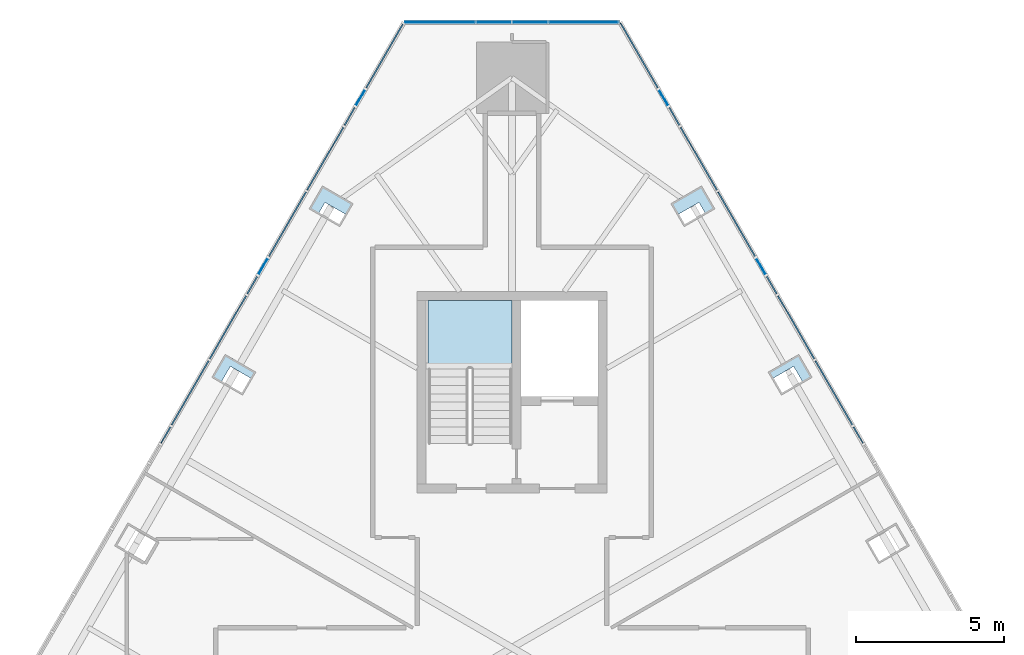
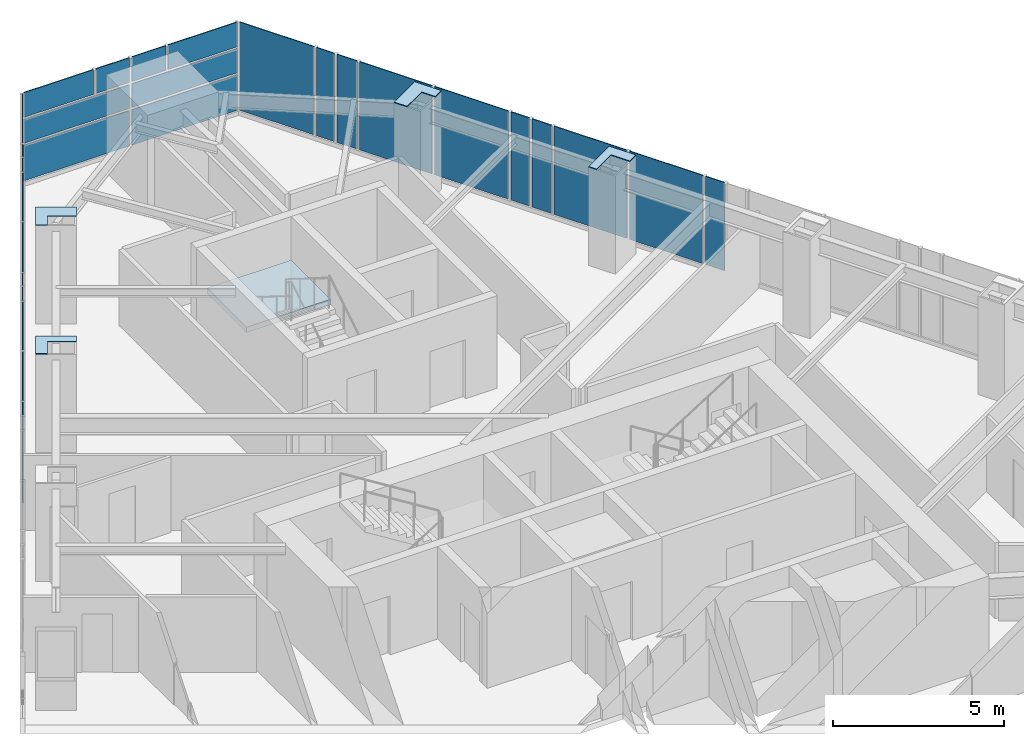
# One storey, part 14 of 20: 32 plates, 1 slab, 4 elements without a shape of their own.
"""IFC4 building model written with IfcOpenShell, lengths in metres."""

from ifc_helpers import new_model, si_unit, direction, frame, origin, place, context, subcontext, project, spatial, polyline, outline, extrude, material, layer, layer_set, type_object, element, aggregate, save


model = new_model("IFC4")

# Units and contexts
model_context = context("Model", 3, precision=1e-05, world=origin(), true_north=direction((0.0, 1.0)))
body_context = subcontext(model_context, "Body", "Model", "MODEL_VIEW")
ifc_project = project(units=[si_unit("LENGTHUNIT", "METRE"), si_unit("AREAUNIT", "SQUARE_METRE"), si_unit("VOLUMEUNIT", "CUBIC_METRE"), si_unit("PLANEANGLEUNIT", "RADIAN"), si_unit("MASSUNIT", "GRAM", prefix="KILO")], contexts=[model_context])

# Site, building, storey
site_placement = place(None, origin())
site = spatial("IfcSite", under=ifc_project, at=site_placement, CompositionType="ELEMENT")
building_placement = place(site_placement, origin())
building = spatial("IfcBuilding", under=site, at=building_placement, Name="Firuza Gate Tower and Library", CompositionType="ELEMENT")
storey_placement = place(building_placement, frame((0.0, 0.0, 277.60009765625)))
storey = spatial("IfcBuildingStorey", under=building, at=storey_placement, Name="L66", CompositionType="ELEMENT", Elevation=277.60009765625)

# Plates
ifc_material_1 = material(Name="Steel S355", Category="steel")
ifc_layer_1 = layer(ifc_material_1, 0.030029296875)
ifc_layer_set_1 = layer_set([ifc_layer_1], Name="Column infill plate 30 Steel S355")
plate_type_1 = type_object("IfcPlateType", Name="Column infill plate 30 Steel S355", PredefinedType="SHEET", material=ifc_layer_set_1)
placement_1 = place(storey_placement, frame((0.0, 0.0, 3.5)))
element("IfcPlate", 1, at=placement_1, inside=storey, type_object=plate_type_1, Name="Infill plate L66:E5", PredefinedType="SHEET", context=body_context, shape_type="SweptSolid", body=[
    extrude(outline(polyline([(83.641357421875, 91.880126953125), (83.773193359375, 91.651611328125), (84.504638671875, 92.07373046875), (84.822509765625, 91.52294921875), (85.130615234375, 91.70068359375), (84.680419921875, 92.480224609375), (83.641357421875, 91.880126953125)])), origin(), (0.0, 0.0, 1.0), 0.02978515625),
])
element("IfcPlate", 2, at=placement_1, inside=storey, type_object=plate_type_1, Name="Infill plate L66:E6", PredefinedType="SHEET", context=body_context, shape_type="SweptSolid", body=[
    extrude(outline(polyline([(80.358642578125, 97.56591796875), (80.57861328125, 97.184814453125), (81.309814453125, 97.60693359375), (81.539794921875, 97.208740234375), (81.847900390625, 97.386474609375), (81.39794921875, 98.166015625), (80.358642578125, 97.56591796875)])), origin(), (0.0, 0.0, 1.0), 0.02978515625),
])
element("IfcPlate", 3, at=placement_1, inside=storey, type_object=plate_type_1, Name="Infill plate L66:W1", PredefinedType="SHEET", context=body_context, shape_type="SweptSolid", body=[
    extrude(outline(polyline([(68.152099609375, 97.386474609375), (68.460205078125, 97.208740234375), (68.690185546875, 97.60693359375), (69.42138671875, 97.184814453125), (69.641357421875, 97.56591796875), (68.60205078125, 98.166015625), (68.152099609375, 97.386474609375)])), origin(), (0.0, 0.0, 1.0), 0.02978515625),
])
element("IfcPlate", 4, at=placement_1, inside=storey, type_object=plate_type_1, Name="Infill plate L66:W2", PredefinedType="SHEET", context=body_context, shape_type="SweptSolid", body=[
    extrude(outline(polyline([(64.869384765625, 91.70068359375), (65.177490234375, 91.52294921875), (65.495361328125, 92.07373046875), (66.226806640625, 91.651611328125), (66.358642578125, 91.880126953125), (65.319580078125, 92.480224609375), (64.869384765625, 91.70068359375)])), origin(), (0.0, 0.0, 1.0), 0.02978515625),
])

# Curtain wall, plates
ifc_material_2 = material(Name="Aluminium 6063-T6", Category="aluminium")
ifc_layer_2 = layer(ifc_material_2, 0.14990234375)
ifc_layer_set_2 = layer_set([ifc_layer_2], Name="Corner curtain wall, chamfers")
curtain_wall_type_1 = type_object("IfcCurtainWallType", Name="Corner curtain wall, chamfers", PredefinedType="NOTDEFINED", material=ifc_layer_set_2)
placement_2 = place(storey_placement, origin())
curtain_wall_1 = element("IfcCurtainWall", 5, at=placement_2, inside=storey, type_object=curtain_wall_type_1, Name="CW4 L66 N corner", PredefinedType="NOTDEFINED")
ifc_material_3 = material(Name="Fritted glass", Category="glass")
ifc_layer_3 = layer(ifc_material_3, 0.030029296875)
ifc_layer_set_3 = layer_set([ifc_layer_3], Name="Fritted glass unit, corners")
plate_type_2 = type_object("IfcPlateType", Name="Fritted glass unit, corners", PredefinedType="CURTAIN_PANEL", material=ifc_layer_set_3)
plate_5_placement = place(storey_placement, frame((78.603271484375, 103.701904296875, 0.14990234375), z_axis=(0.0, 1.0, 0.0), x_axis=(-1.0, 0.0, 0.0)))
plate_5 = element("IfcPlate", 6, at=plate_5_placement, type_object=plate_type_2, Name="Glass unit", PredefinedType="CURTAIN_PANEL", context=body_context, shape_type="SweptSolid", body=[
    extrude(outline(polyline([(0.0, 0.0), (3.563232421875, 0.0), (3.563232421875, 1.260009765625), (0.0, 1.260009765625), (0.0, 0.0)])), origin(), (0.0, 0.0, -1.0), 0.030029296875),
])
plate_6_placement = place(storey_placement, frame((78.603271484375, 103.701904296875, 1.489990234375), z_axis=(0.0, 1.0, 0.0), x_axis=(-1.0, 0.0, 0.0)))
plate_6 = element("IfcPlate", 7, at=plate_6_placement, type_object=plate_type_2, Name="Glass unit", PredefinedType="CURTAIN_PANEL", context=body_context, shape_type="SweptSolid", body=[
    extrude(outline(polyline([(0.0, 0.0), (3.563232421875, 0.0), (3.563232421875, 0.844970703125), (0.0, 0.844970703125), (0.0, 0.0)])), origin(), (0.0, 0.0, -1.0), 0.030029296875),
])
plate_7_placement = place(storey_placement, frame((76.18212890625, 103.701904296875, 2.414794921875), z_axis=(0.0, 1.0, 0.0), x_axis=(-1.0, 0.0, 0.0)))
plate_7 = element("IfcPlate", 8, at=plate_7_placement, type_object=plate_type_2, Name="Glass unit", PredefinedType="CURTAIN_PANEL", context=body_context, shape_type="SweptSolid", body=[
    extrude(outline(polyline([(0.0, 0.0), (1.14208984375, 0.0), (1.14208984375, 0.885009765625), (0.0, 0.885009765625), (0.0, 0.0)])), origin(), (0.0, 0.0, -1.0), 0.030029296875),
])
plate_8_placement = place(storey_placement, frame((74.9599609375, 103.701904296875, 0.14990234375), z_axis=(0.0, 1.0, 0.0), x_axis=(-1.0, 0.0, 0.0)))
plate_8 = element("IfcPlate", 9, at=plate_8_placement, type_object=plate_type_2, Name="Glass unit", PredefinedType="CURTAIN_PANEL", context=body_context, shape_type="SweptSolid", body=[
    extrude(outline(polyline([(0.0, 0.0), (3.563232421875, 0.0), (3.563232421875, 1.260009765625), (0.0, 1.260009765625), (0.0, 0.0)])), origin(), (0.0, 0.0, -1.0), 0.030029296875),
])
plate_9_placement = place(storey_placement, frame((74.9599609375, 103.701904296875, 1.489990234375), z_axis=(0.0, 1.0, 0.0), x_axis=(-1.0, 0.0, 0.0)))
plate_9 = element("IfcPlate", 10, at=plate_9_placement, type_object=plate_type_2, Name="Glass unit", PredefinedType="CURTAIN_PANEL", context=body_context, shape_type="SweptSolid", body=[
    extrude(outline(polyline([(0.0, 0.0), (3.563232421875, 0.0), (3.563232421875, 0.844970703125), (0.0, 0.844970703125), (0.0, 0.0)])), origin(), (0.0, 0.0, -1.0), 0.030029296875),
])
plate_10_placement = place(storey_placement, frame((74.9599609375, 103.701904296875, 2.414794921875), z_axis=(0.0, 1.0, 0.0), x_axis=(-1.0, 0.0, 0.0)))
plate_10 = element("IfcPlate", 11, at=plate_10_placement, type_object=plate_type_2, Name="Glass unit", PredefinedType="CURTAIN_PANEL", context=body_context, shape_type="SweptSolid", body=[
    extrude(outline(polyline([(0.0, 0.0), (1.14208984375, 0.0), (1.14208984375, 0.885009765625), (0.0, 0.885009765625), (0.0, 0.0)])), origin(), (0.0, 0.0, -1.0), 0.030029296875),
])

ifc_material_4 = material(Name="Aluminium 6063-T6", Category="aluminium")
ifc_layer_4 = layer(ifc_material_4, 0.14990234375)
ifc_layer_set_4 = layer_set([ifc_layer_4], Name="Unitised curtain wall, residences")
curtain_wall_type_2 = type_object("IfcCurtainWallType", Name="Unitised curtain wall, residences", PredefinedType="NOTDEFINED", material=ifc_layer_set_4)
curtain_wall_2 = element("IfcCurtainWall", 12, at=placement_2, inside=storey, type_object=curtain_wall_type_2, Name="CW3 L66 E face", PredefinedType="NOTDEFINED")
ifc_material_5 = material(Name="Fritted glass", Category="glass")
ifc_layer_5 = layer(ifc_material_5, 0.030029296875)
ifc_layer_set_5 = layer_set([ifc_layer_5], Name="Fritted glass unit, residences")
plate_type_3 = type_object("IfcPlateType", Name="Fritted glass unit, residences", PredefinedType="CURTAIN_PANEL", material=ifc_layer_set_5)
plate_11_placement = place(storey_placement, frame((86.8583984375, 89.488037109375, 0.14990234375), z_axis=(0.866019818373, 0.500009674092, 0.0), x_axis=(-0.500009674092, 0.866019818373, 0.0)))
plate_11 = element("IfcPlate", 13, at=plate_11_placement, type_object=plate_type_3, Name="Glass unit", PredefinedType="CURTAIN_PANEL", context=body_context, shape_type="SweptSolid", body=[
    extrude(outline(polyline([(0.0, 0.0), (0.6376829744930093, 0.0), (0.6376829744930093, 3.14990234375), (0.0, 3.14990234375), (0.0, 0.0)])), origin(), (0.0, 0.0, -1.0), 0.030029296875),
])
plate_12_placement = place(storey_placement, frame((83.947021484375, 94.530517578125, 0.14990234375), z_axis=(0.866053057547, 0.499952099219, 0.0), x_axis=(-0.499952099219, 0.866053057547, 0.0)))
plate_12 = element("IfcPlate", 14, at=plate_12_placement, type_object=plate_type_3, Name="Glass unit", PredefinedType="CURTAIN_PANEL", context=body_context, shape_type="SweptSolid", body=[
    extrude(outline(polyline([(0.0, 0.0), (0.6748693410371551, 0.0), (0.6748693410371551, 3.14990234375), (0.0, 3.14990234375), (0.0, 0.0)])), origin(), (0.0, 0.0, -1.0), 0.030029296875),
])
plate_13_placement = place(storey_placement, frame((83.569580078125, 95.184326171875, 0.14990234375), z_axis=(0.866049104564, 0.499958946799, 0.0), x_axis=(-0.499958946799, 0.866049104564, 0.0)))
plate_13 = element("IfcPlate", 15, at=plate_13_placement, type_object=plate_type_3, Name="Glass unit", PredefinedType="CURTAIN_PANEL", context=body_context, shape_type="SweptSolid", body=[
    extrude(outline(polyline([(0.0, 0.0), (0.6255396420596755, 0.0), (0.6255396420596755, 3.14990234375), (0.0, 3.14990234375), (0.0, 0.0)])), origin(), (0.0, 0.0, -1.0), 0.030029296875),
])
plate_14_placement = place(storey_placement, frame((80.664306640625, 100.21630859375, 0.14990234375), z_axis=(0.866114604932, 0.499845467243, 0.0), x_axis=(-0.499845467243, 0.866114604932, 0.0)))
plate_14 = element("IfcPlate", 16, at=plate_14_placement, type_object=plate_type_3, Name="Glass unit", PredefinedType="CURTAIN_PANEL", context=body_context, shape_type="SweptSolid", body=[
    extrude(outline(polyline([(0.0, 0.0), (0.6872241160242372, 0.0), (0.6872241160242372, 3.14990234375), (0.0, 3.14990234375), (0.0, 0.0)])), origin(), (0.0, 0.0, -1.0), 0.030029296875),
])
plate_15_placement = place(storey_placement, frame((80.28076171875, 100.880859375, 0.14990234375), z_axis=(0.865980029404, 0.500078582497, 0.0), x_axis=(-0.500078582497, 0.865980029404, 0.0)))
plate_15 = element("IfcPlate", 17, at=plate_15_placement, type_object=plate_type_3, Name="Glass unit", PredefinedType="CURTAIN_PANEL", context=body_context, shape_type="SweptSolid", body=[
    extrude(outline(polyline([(0.0, 0.0), (0.6131848788016326, 0.0), (0.6131848788016326, 3.14990234375), (0.0, 3.14990234375), (0.0, 0.0)])), origin(), (0.0, 0.0, -1.0), 0.030029296875),
])

curtain_wall_3 = element("IfcCurtainWall", 18, at=placement_2, inside=storey, type_object=curtain_wall_type_2, Name="CW3 L66 W face", PredefinedType="NOTDEFINED")
plate_16_placement = place(storey_placement, frame((70.02587890625, 101.411865234375, 0.14990234375), z_axis=(-0.865980029404, 0.500078582497, 0.0), x_axis=(-0.500078582497, -0.865980029404, 0.0)))
plate_16 = element("IfcPlate", 19, at=plate_16_placement, type_object=plate_type_3, Name="Glass unit", PredefinedType="CURTAIN_PANEL", context=body_context, shape_type="SweptSolid", body=[
    extrude(outline(polyline([(0.0, 0.0), (0.6131848788016326, 0.0), (0.6131848788016326, 3.14990234375), (0.0, 3.14990234375), (0.0, 0.0)])), origin(), (0.0, 0.0, -1.0), 0.030029296875),
])
plate_17_placement = place(storey_placement, frame((69.67919921875, 100.8115234375, 0.14990234375), z_axis=(-0.866114604932, 0.499845467243, 0.0), x_axis=(-0.499845467243, -0.866114604932, 0.0)))
plate_17 = element("IfcPlate", 20, at=plate_17_placement, type_object=plate_type_3, Name="Glass unit", PredefinedType="CURTAIN_PANEL", context=body_context, shape_type="SweptSolid", body=[
    extrude(outline(polyline([(0.0, 0.0), (0.6872241160242372, 0.0), (0.6872241160242372, 3.14990234375), (0.0, 3.14990234375), (0.0, 0.0)])), origin(), (0.0, 0.0, -1.0), 0.030029296875),
])
plate_18_placement = place(storey_placement, frame((66.7431640625, 95.72607421875, 0.14990234375), z_axis=(-0.866049104564, 0.499958946799, 0.0), x_axis=(-0.499958946799, -0.866049104564, 0.0)))
plate_18 = element("IfcPlate", 21, at=plate_18_placement, type_object=plate_type_3, Name="Glass unit", PredefinedType="CURTAIN_PANEL", context=body_context, shape_type="SweptSolid", body=[
    extrude(outline(polyline([(0.0, 0.0), (0.6255396420596755, 0.0), (0.6255396420596755, 3.14990234375), (0.0, 3.14990234375), (0.0, 0.0)])), origin(), (0.0, 0.0, -1.0), 0.030029296875),
])
plate_19_placement = place(storey_placement, frame((66.390380859375, 95.114990234375, 0.14990234375), z_axis=(-0.866053057547, 0.499952099219, 0.0), x_axis=(-0.499952099219, -0.866053057547, 0.0)))
plate_19 = element("IfcPlate", 22, at=plate_19_placement, type_object=plate_type_3, Name="Glass unit", PredefinedType="CURTAIN_PANEL", context=body_context, shape_type="SweptSolid", body=[
    extrude(outline(polyline([(0.0, 0.0), (0.6748693410371551, 0.0), (0.6748693410371551, 3.14990234375), (0.0, 3.14990234375), (0.0, 0.0)])), origin(), (0.0, 0.0, -1.0), 0.030029296875),
])
plate_20_placement = place(storey_placement, frame((63.46044921875, 90.040283203125, 0.14990234375), z_axis=(-0.866019818373, 0.500009674092, 0.0), x_axis=(-0.500009674092, -0.866019818373, 0.0)))
plate_20 = element("IfcPlate", 23, at=plate_20_placement, type_object=plate_type_3, Name="Glass unit", PredefinedType="CURTAIN_PANEL", context=body_context, shape_type="SweptSolid", body=[
    extrude(outline(polyline([(0.0, 0.0), (0.6376829744930093, 0.0), (0.6376829744930093, 3.14990234375), (0.0, 3.14990234375), (0.0, 0.0)])), origin(), (0.0, 0.0, -1.0), 0.030029296875),
])

# Plate
ifc_material_6 = material(Name="Glazed ceramic tile")
ifc_layer_6 = layer(ifc_material_6, 0.030029296875)
ifc_layer_set_6 = layer_set([ifc_layer_6], Name="Opaque ceramic panel, corners")
plate_type_4 = type_object("IfcPlateType", Name="Opaque ceramic panel, corners", PredefinedType="CURTAIN_PANEL", material=ifc_layer_set_6)
plate_21_placement = place(storey_placement, frame((78.603271484375, 103.701904296875, 2.414794921875), z_axis=(0.0, 1.0, 0.0), x_axis=(-1.0, 0.0, 0.0)))
plate_21 = element("IfcPlate", 24, at=plate_21_placement, type_object=plate_type_4, Name="Opaque ceramic panel", PredefinedType="CURTAIN_PANEL", context=body_context, shape_type="SweptSolid", body=[
    extrude(outline(polyline([(0.0, 0.0), (2.341064453125, 0.0), (2.341064453125, 0.885009765625), (0.0, 0.885009765625), (0.0, 0.0)])), origin(), (0.0, 0.0, -1.0), 0.030029296875),
])

plate_22_placement = place(storey_placement, frame((73.73779296875, 103.701904296875, 2.414794921875), z_axis=(0.0, 1.0, 0.0), x_axis=(-1.0, 0.0, 0.0)))
plate_22 = element("IfcPlate", 25, at=plate_22_placement, type_object=plate_type_4, Name="Opaque ceramic panel", PredefinedType="CURTAIN_PANEL", context=body_context, shape_type="SweptSolid", body=[
    extrude(outline(polyline([(0.0, 0.0), (2.341064453125, 0.0), (2.341064453125, 0.885009765625), (0.0, 0.885009765625), (0.0, 0.0)])), origin(), (0.0, 0.0, -1.0), 0.030029296875),
])

aggregate(curtain_wall_1, [plate_5, plate_6, plate_21, plate_7, plate_8, plate_9, plate_10, plate_22])

ifc_material_7 = material(Name="Glazed ceramic tile")
ifc_layer_7 = layer(ifc_material_7, 0.030029296875)
ifc_layer_set_7 = layer_set([ifc_layer_7], Name="Opaque ceramic panel, residences")
plate_type_5 = type_object("IfcPlateType", Name="Opaque ceramic panel, residences", PredefinedType="CURTAIN_PANEL", material=ifc_layer_set_7)
plate_23_placement = place(storey_placement, frame((86.49951171875, 90.109619140625, 0.14990234375), z_axis=(0.866002782049, 0.500039179948, 0.0), x_axis=(-0.500039179948, 0.866002782049, 0.0)))
plate_23 = element("IfcPlate", 26, at=plate_23_placement, type_object=plate_type_5, Name="Opaque ceramic panel", PredefinedType="CURTAIN_PANEL", context=body_context, shape_type="SweptSolid", body=[
    extrude(outline(polyline([(0.0, 0.0), (2.4910157417678986, 0.0), (2.4910157417678986, 3.14990234375), (0.0, 3.14990234375), (0.0, 0.0)])), origin(), (0.0, 0.0, -1.0), 0.030029296875),
])

plate_24_placement = place(storey_placement, frame((85.214111328125, 92.336181640625, 0.14990234375), z_axis=(0.865993380977, 0.500055461028, 0.0), x_axis=(-0.500055461028, 0.865993380977, 0.0)))
plate_24 = element("IfcPlate", 27, at=plate_24_placement, type_object=plate_type_5, Name="Opaque ceramic panel", PredefinedType="CURTAIN_PANEL", context=body_context, shape_type="SweptSolid", body=[
    extrude(outline(polyline([(0.0, 0.0), (2.4538293786989827, 0.0), (2.4538293786989827, 3.14990234375), (0.0, 3.14990234375), (0.0, 0.0)])), origin(), (0.0, 0.0, -1.0), 0.030029296875),
])

plate_25_placement = place(storey_placement, frame((83.216796875, 95.79541015625, 0.14990234375), z_axis=(0.866019930389, 0.500009480079, 0.0), x_axis=(-0.500009480079, 0.866019930389, 0.0)))
plate_25 = element("IfcPlate", 28, at=plate_25_placement, type_object=plate_type_5, Name="Opaque ceramic panel", PredefinedType="CURTAIN_PANEL", context=body_context, shape_type="SweptSolid", body=[
    extrude(outline(polyline([(0.0, 0.0), (2.5033705044482844, 0.0), (2.5033705044482844, 3.14990234375), (0.0, 3.14990234375), (0.0, 0.0)])), origin(), (0.0, 0.0, -1.0), 0.030029296875),
])

plate_26_placement = place(storey_placement, frame((81.925048828125, 98.03271484375, 0.14990234375), z_axis=(0.866019052629, 0.500011000363, 0.0), x_axis=(-0.500011000363, 0.866019052629, 0.0)))
plate_26 = element("IfcPlate", 29, at=plate_26_placement, type_object=plate_type_5, Name="Opaque ceramic panel", PredefinedType="CURTAIN_PANEL", context=body_context, shape_type="SweptSolid", body=[
    extrude(outline(polyline([(0.0, 0.0), (2.441352538471667, 0.0), (2.441352538471667, 3.149902343750001), (0.0, 3.149902343750001), (0.0, 0.0)])), origin(), (0.0, 0.0, -1.0), 0.030029296875),
])

plate_27_placement = place(storey_placement, frame((79.93408203125, 101.481201171875, 0.14990234375), z_axis=(0.866036909293, 0.499980071345, 0.0), x_axis=(-0.499980071345, 0.866036909293, 0.0)))
plate_27 = element("IfcPlate", 30, at=plate_27_placement, type_object=plate_type_5, Name="Opaque ceramic panel", PredefinedType="CURTAIN_PANEL", context=body_context, shape_type="SweptSolid", body=[
    extrude(outline(polyline([(0.0, 0.0), (2.5157252700440838, 0.0), (2.5157252700440838, 3.1499023437499996), (0.0, 3.1499023437499996), (0.0, 0.0)])), origin(), (0.0, 0.0, -1.0), 0.030029296875),
])

aggregate(curtain_wall_2, [plate_11, plate_23, plate_24, plate_12, plate_13, plate_25, plate_26, plate_14, plate_15, plate_27])

plate_28_placement = place(storey_placement, frame((71.32373046875, 103.659912109375, 0.14990234375), z_axis=(-0.866036909293, 0.499980071345, 0.0), x_axis=(-0.499980071345, -0.866036909293, 0.0)))
plate_28 = element("IfcPlate", 31, at=plate_28_placement, type_object=plate_type_5, Name="Opaque ceramic panel", PredefinedType="CURTAIN_PANEL", context=body_context, shape_type="SweptSolid", body=[
    extrude(outline(polyline([(0.0, 0.0), (2.5157252700440838, 0.0), (2.5157252700440838, 3.1499023437499996), (0.0, 3.1499023437499996), (0.0, 0.0)])), origin(), (0.0, 0.0, -1.0), 0.030029296875),
])

plate_29_placement = place(storey_placement, frame((69.295654296875, 100.14697265625, 0.14990234375), z_axis=(-0.866019052629, 0.500011000363, 0.0), x_axis=(-0.500011000363, -0.866019052629, 0.0)))
plate_29 = element("IfcPlate", 32, at=plate_29_placement, type_object=plate_type_5, Name="Opaque ceramic panel", PredefinedType="CURTAIN_PANEL", context=body_context, shape_type="SweptSolid", body=[
    extrude(outline(polyline([(0.0, 0.0), (2.441352538471667, 0.0), (2.441352538471667, 3.149902343750001), (0.0, 3.149902343750001), (0.0, 0.0)])), origin(), (0.0, 0.0, -1.0), 0.030029296875),
])

plate_30_placement = place(storey_placement, frame((68.034912109375, 97.96337890625, 0.14990234375), z_axis=(-0.866019930389, 0.500009480079, 0.0), x_axis=(-0.500009480079, -0.866019930389, 0.0)))
plate_30 = element("IfcPlate", 33, at=plate_30_placement, type_object=plate_type_5, Name="Opaque ceramic panel", PredefinedType="CURTAIN_PANEL", context=body_context, shape_type="SweptSolid", body=[
    extrude(outline(polyline([(0.0, 0.0), (2.5033705044482844, 0.0), (2.5033705044482844, 3.14990234375), (0.0, 3.14990234375), (0.0, 0.0)])), origin(), (0.0, 0.0, -1.0), 0.030029296875),
])

plate_31_placement = place(storey_placement, frame((66.012939453125, 94.461181640625, 0.14990234375), z_axis=(-0.865993380977, 0.500055461028, 0.0), x_axis=(-0.500055461028, -0.865993380977, 0.0)))
plate_31 = element("IfcPlate", 34, at=plate_31_placement, type_object=plate_type_5, Name="Opaque ceramic panel", PredefinedType="CURTAIN_PANEL", context=body_context, shape_type="SweptSolid", body=[
    extrude(outline(polyline([(0.0, 0.0), (2.4538293786989827, 0.0), (2.4538293786989827, 3.14990234375), (0.0, 3.14990234375), (0.0, 0.0)])), origin(), (0.0, 0.0, -1.0), 0.030029296875),
])

plate_32_placement = place(storey_placement, frame((64.74609375, 92.266845703125, 0.14990234375), z_axis=(-0.866002782049, 0.500039179948, 0.0), x_axis=(-0.500039179948, -0.866002782049, 0.0)))
plate_32 = element("IfcPlate", 35, at=plate_32_placement, type_object=plate_type_5, Name="Opaque ceramic panel", PredefinedType="CURTAIN_PANEL", context=body_context, shape_type="SweptSolid", body=[
    extrude(outline(polyline([(0.0, 0.0), (2.4910157417678986, 0.0), (2.4910157417678986, 3.14990234375), (0.0, 3.14990234375), (0.0, 0.0)])), origin(), (0.0, 0.0, -1.0), 0.030029296875),
])

aggregate(curtain_wall_3, [plate_28, plate_16, plate_17, plate_29, plate_30, plate_18, plate_19, plate_31, plate_32, plate_20])

# Stair, slab
ifc_material_8 = material(Name="Concrete C35/45", Category="concrete")
stair_type = type_object("IfcStairType", Name="Exit stair ST17", PredefinedType="HALF_TURN_STAIR", material=ifc_material_8)
stair = element("IfcStair", 36, at=placement_2, inside=storey, type_object=stair_type, Name="L66 Stair ST3", PredefinedType="HALF_TURN_STAIR")
ifc_material_9 = material(Name="Concrete C35/45", Category="concrete")
ifc_layer_8 = layer(ifc_material_9, 0.199951171875)
ifc_layer_set_8 = layer_set([ifc_layer_8], Name="Stair landing 200")
slab_type = type_object("IfcSlabType", Name="Stair landing 200", PredefinedType="LANDING", material=ifc_layer_set_8)
slab_placement = place(storey_placement, frame((0.0, 0.0, 1.5498046875)))
slab = element("IfcSlab", 37, at=slab_placement, type_object=slab_type, Name="ST3 landing 1", PredefinedType="LANDING", context=body_context, shape_type="SweptSolid", body=[
    extrude(outline(polyline([(75.0, 91.989990234375), (75.0, 94.300048828125), (72.159912109375, 94.300048828125), (72.159912109375, 91.989990234375), (75.0, 91.989990234375)])), origin(), (0.0, 0.0, 1.0), 0.2001953125),
])
aggregate(stair, [slab])

save(model, "model.ifc")
